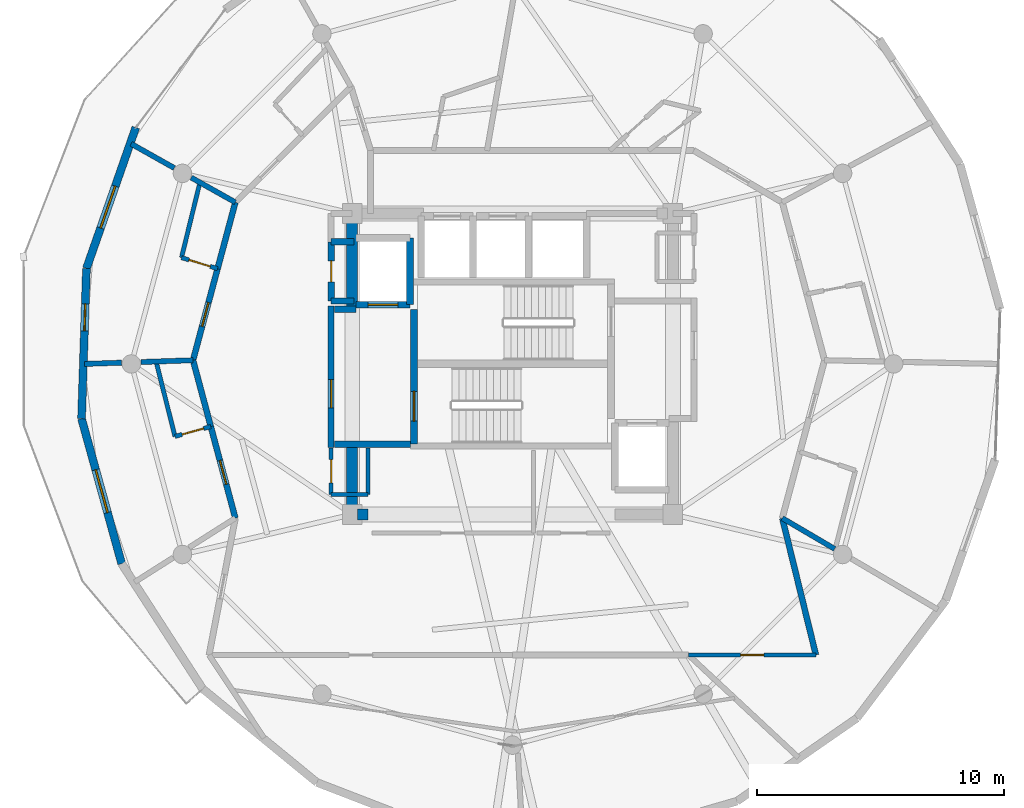
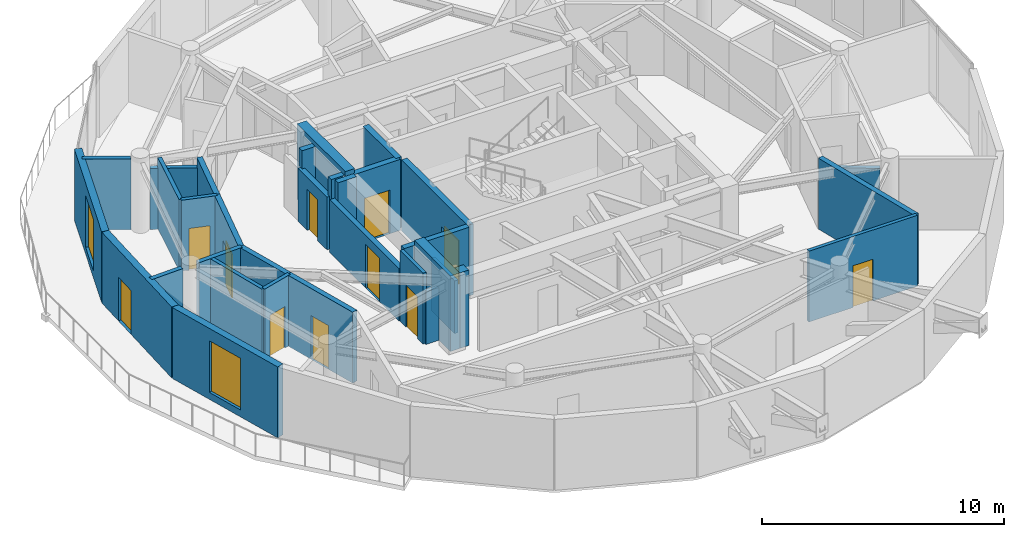
# One storey, part 11 of 16: 33 walls, 11 doors, 2 windows, 13 openings.
"""IFC4 building model written with IfcOpenShell, lengths in metres."""

from ifc_helpers import new_model, si_unit, direction, frame, frame_2d, origin, place, context, subcontext, project, spatial, rectangle, extrude, material, layer, layer_set, type_object, element, fill, save


model = new_model("IFC4")

# Units and contexts
model_context = context("Model", 3, precision=1e-05, world=origin(), true_north=direction((0.0, 1.0)))
body_context = subcontext(model_context, "Body", "Model", "MODEL_VIEW")
ifc_project = project(units=[si_unit("LENGTHUNIT", "METRE"), si_unit("AREAUNIT", "SQUARE_METRE"), si_unit("VOLUMEUNIT", "CUBIC_METRE"), si_unit("PLANEANGLEUNIT", "RADIAN"), si_unit("MASSUNIT", "GRAM", prefix="KILO")], contexts=[model_context])

# Site, building, storey
site_placement = place(None, origin())
site = spatial("IfcSite", under=ifc_project, at=site_placement, CompositionType="ELEMENT")
building_placement = place(site_placement, origin())
building = spatial("IfcBuilding", under=site, at=building_placement, Name="Solvirekh Grand Hotel", CompositionType="ELEMENT")
storey_placement = place(building_placement, frame((0.0, 0.0, 258.199951171875)))
storey = spatial("IfcBuildingStorey", under=building, at=storey_placement, Name="L67", CompositionType="ELEMENT", Elevation=258.199951171875)

# Wall, opening, door
ifc_material_1 = material(Name="Concrete C40/50", Category="concrete")
ifc_layer_1 = layer(ifc_material_1, 0.280029296875)
ifc_layer_set_1 = layer_set([ifc_layer_1], Name="Concrete C40/50")
wall_type_1 = type_object("IfcWallType", Name="CoreShaftWall_RC280", PredefinedType="SOLIDWALL", material=ifc_layer_set_1)
wall_1_placement = place(storey_placement, frame((-6.35009765625, 2.39990234375, 0.0), z_axis=(0.0, 0.0, 1.0), x_axis=(1.0, 0.0, 0.0)))
wall_1 = element("IfcWall", 1, at=wall_1_placement, inside=storey, type_object=wall_type_1, Name="L67 FL-1 hoistway S wall", PredefinedType="SOLIDWALL", context=body_context, shape_type="SweptSolid", body=[
    extrude(rectangle(XDim=2.2001953125, YDim=0.280029296875, at=frame_2d((1.10009765625, 0.0))), origin(), (0.0, 0.0, 1.0), 3.570068359375),
])
opening_1_placement = place(wall_1_placement, frame((0.5, 0.0, 0.0)))
opening_1 = element("IfcOpeningElement", 2, at=opening_1_placement, cuts=wall_1, Name="Opening LD02", PredefinedType="OPENING", context=body_context, shape_type="SweptSolid", body=[
    extrude(rectangle(XDim=1.199951171875, YDim=2.199951171875, at=frame_2d((0.60009765625, 1.10009765625))), frame((0.0, 0.14990234375, 0.0), z_axis=(0.0, -1.0, 0.0), x_axis=(1.0, 0.0, 0.0)), (0.0, 0.0, 1.0), 0.300048828125),
])
ifc_material_2 = material(Name="Fire-Rated Steel Door Assembly", Category="steel")
door_type_1 = type_object("IfcDoorType", Name="Door_LiftFF_1200X2200", OperationType="SLIDING_TO_LEFT", PredefinedType="DOOR", material=ifc_material_2)
door_1_placement = place(opening_1_placement, origin())
door_1 = element("IfcDoor", 3, at=door_1_placement, inside=storey, type_object=door_type_1, Name="L67 FL-1 sliding lift landing door", OperationType="SLIDING_TO_LEFT", OverallHeight=2.199951171875, OverallWidth=1.199951171875, PredefinedType="DOOR", context=body_context, shape_type="SweptSolid", body=[
    extrude(rectangle(XDim=1.199951171875, YDim=2.199951171875, at=frame_2d((0.60009765625, 1.10009765625))), frame((0.0, 0.02490234375, 0.0), z_axis=(0.0, -1.0, 0.0), x_axis=(1.0, 0.0, 0.0)), (0.0, 0.0, 1.0), 0.050048828125),
])
fill(opening_1, door_1)

# Wall
wall_2_placement = place(storey_placement, frame((-4.14990234375, 2.39990234375, 0.0), z_axis=(0.0, 0.0, 1.0), x_axis=(0.0, 1.0, 0.0)))
element("IfcWall", 4, at=wall_2_placement, inside=storey, type_object=wall_type_1, Name="L67 FL-1 hoistway E wall", PredefinedType="SOLIDWALL", context=body_context, shape_type="SweptSolid", body=[
    extrude(rectangle(XDim=2.7001953125, YDim=0.280029296875, at=frame_2d((1.35009765625, 0.0))), origin(), (0.0, 0.0, 1.0), 3.570068359375),
])

# Wall, opening, door
wall_3_placement = place(storey_placement, frame((-3.989990234375, -3.25, 0.0), z_axis=(0.0, 0.0, 1.0), x_axis=(0.0, 1.0, 0.0)))
wall_3 = element("IfcWall", 5, at=wall_3_placement, inside=storey, type_object=wall_type_1, Name="L67 west stair landing enclosure wall", PredefinedType="SOLIDWALL", context=body_context, shape_type="SweptSolid", body=[
    extrude(rectangle(XDim=5.4599609375, YDim=0.280029296875, at=frame_2d((2.72998046875, 0.0))), origin(), (0.0, 0.0, 1.0), 3.570068359375),
])
opening_2_placement = place(wall_3_placement, frame((0.93701171875, 0.0, 0.0)))
opening_2 = element("IfcOpeningElement", 6, at=opening_2_placement, cuts=wall_3, Name="Opening D05", PredefinedType="OPENING", context=body_context, shape_type="SweptSolid", body=[
    extrude(rectangle(XDim=1.199951171875, YDim=2.199951171875, at=frame_2d((0.60009765625, 1.10009765625))), frame((0.0, 0.14990234375, 0.0), z_axis=(0.0, -1.0, 0.0), x_axis=(1.0, 0.0, 0.0)), (0.0, 0.0, 1.0), 0.300048828125),
])
door_type_2 = type_object("IfcDoorType", Name="Door_StairCore_1200X2200", OperationType="NOTDEFINED", PredefinedType="DOOR", material=ifc_material_2)
door_2_placement = place(opening_2_placement, origin())
door_2 = element("IfcDoor", 7, at=door_2_placement, inside=storey, type_object=door_type_2, Name="L67 exit stair ST-1 fire door", OperationType="SINGLE_SWING_RIGHT", OverallHeight=2.199951171875, OverallWidth=1.199951171875, PredefinedType="DOOR", context=body_context, shape_type="SweptSolid", body=[
    extrude(rectangle(XDim=1.199951171875, YDim=2.199951171875, at=frame_2d((0.60009765625, 1.10009765625))), frame((0.0, 0.02490234375, 0.0), z_axis=(0.0, -1.0, 0.0), x_axis=(1.0, 0.0, 0.0)), (0.0, 0.0, 1.0), 0.050048828125),
])
fill(opening_2, door_2)

# Walls
ifc_material_3 = material(Name="Concrete C50/60", Category="concrete")
ifc_layer_2 = layer(ifc_material_3, 0.449951171875)
ifc_layer_set_2 = layer_set([ifc_layer_2], Name="Concrete C50/60")
wall_type_2 = type_object("IfcWallType", Name="CoreWall_RC450", PredefinedType="SHEAR", material=ifc_layer_set_2)
wall_4_placement = place(storey_placement, frame((-6.27490234375, -6.10009765625, 0.0), z_axis=(0.0, 0.0, 1.0), x_axis=(1.0, 0.0, 0.0)))
element("IfcWall", 8, at=wall_4_placement, inside=storey, type_object=wall_type_2, Name="L67 core corner shear wall SW-S", PredefinedType="SHEAR", context=body_context, shape_type="SweptSolid", body=[
    extrude(rectangle(XDim=0.4248046875, YDim=0.449951171875, at=frame_2d((0.21240234375, 0.0))), origin(), (0.0, 0.0, 1.0), 3.800048828125),
])
wall_5_placement = place(storey_placement, frame((-6.5, 2.35009765625, 0.0), z_axis=(0.0, 0.0, 1.0), x_axis=(0.0, 1.0, 0.0)))
element("IfcWall", 9, at=wall_5_placement, inside=storey, type_object=wall_type_2, Name="L67 core corner shear wall WN-W", PredefinedType="SHEAR", context=body_context, shape_type="SweptSolid", body=[
    extrude(rectangle(XDim=3.974853515625, YDim=0.449951171875, at=frame_2d((1.9873046875, 0.0))), origin(), (0.0, 0.0, 1.0), 3.800048828125),
])
wall_6_placement = place(storey_placement, frame((-6.5, -6.324951171875, 0.0), z_axis=(0.0, 0.0, 1.0), x_axis=(0.0, 1.0, 0.0)))
element("IfcWall", 10, at=wall_6_placement, inside=storey, type_object=wall_type_2, Name="L67 core corner shear wall WS-W", PredefinedType="SHEAR", context=body_context, shape_type="SweptSolid", body=[
    extrude(rectangle(XDim=2.974853515625, YDim=0.449951171875, at=frame_2d((1.4873046875, 0.0))), origin(), (0.0, 0.0, 1.0), 3.800048828125),
])

# Wall, opening, window
ifc_material_4 = material(Name="Precast concrete C45/55", Category="concrete")
ifc_layer_3 = layer(ifc_material_4, 0.320068359375)
ifc_layer_set_3 = layer_set([ifc_layer_3], Name="Precast concrete C45/55")
wall_type_3 = type_object("IfcWallType", Name="ExtLobbyWall_RC320", PredefinedType="SOLIDWALL", material=ifc_layer_set_3)
wall_7_placement = place(storey_placement, frame((-17.27001953125, 3.8720703125, 0.0), z_axis=(0.0, 0.0, 1.0), x_axis=(0.3305660024, 0.943782876544, 0.0)))
wall_7 = element("IfcWall", 11, at=wall_7_placement, inside=storey, type_object=wall_type_3, Name="L67 exterior structural wall chord 14", PredefinedType="SOLIDWALL", context=body_context, shape_type="SweptSolid", body=[
    extrude(rectangle(XDim=6.05322265625, YDim=0.320068359375, at=frame_2d((3.026611328125, 0.0))), origin(), (0.0, 0.0, 1.0), 3.570068359375),
])
opening_3_placement = place(wall_7_placement, frame((1.73388671875, 0.0, 0.35009765625)))
opening_3 = element("IfcOpeningElement", 12, at=opening_3_placement, cuts=wall_7, Name="Opening W02", PredefinedType="OPENING", context=body_context, shape_type="SweptSolid", body=[
    extrude(rectangle(XDim=1.800048828125, YDim=2.60009765625, at=frame_2d((0.89990234375, 1.300048828125))), frame((0.0, 0.169921875, 0.0), z_axis=(0.0, -1.0, 0.0), x_axis=(1.0, 0.0, 0.0)), (0.0, 0.0, 1.0), 0.340087890625),
])
ifc_material_5 = material(Name="Low-E Tinted Bronze Laminated Glass", Category="aluminium")
window_type = type_object("IfcWindowType", Name="Win_LobbyExt_1800X2600", PartitioningType="SINGLE_PANEL", PredefinedType="WINDOW", material=ifc_material_5)
window_1_placement = place(opening_3_placement, origin())
window_1 = element("IfcWindow", 13, at=window_1_placement, inside=storey, type_object=window_type, Name="L67 panoramic bronze-framed window 14", OverallHeight=2.60009765625, OverallWidth=1.800048828125, PartitioningType="SINGLE_PANEL", PredefinedType="WINDOW", context=body_context, shape_type="SweptSolid", body=[
    extrude(rectangle(XDim=1.800048828125, YDim=2.60009765625, at=frame_2d((0.89990234375, 1.300048828125))), frame((0.0, 0.030029296875, 0.0), z_axis=(0.0, -1.0, 0.0), x_axis=(1.0, 0.0, 0.0)), (0.0, 0.0, 1.0), 0.06005859375),
])
fill(opening_3, window_1)

# Wall, opening, door
wall_8_placement = place(storey_placement, frame((-17.468017578125, -2.219970703125, 0.0), z_axis=(0.0, 0.0, 1.0), x_axis=(0.032483949851, 0.999472257245, 0.0)))
wall_8 = element("IfcWall", 14, at=wall_8_placement, inside=storey, type_object=wall_type_3, Name="L67 exterior structural wall chord 15", PredefinedType="SOLIDWALL", context=body_context, shape_type="SweptSolid", body=[
    extrude(rectangle(XDim=6.09521484375, YDim=0.320068359375, at=frame_2d((3.047607421875, 0.0))), origin(), (0.0, 0.0, 1.0), 3.570068359375),
])
opening_4_placement = place(wall_8_placement, frame((3.55908203125, 0.0, 0.0)))
opening_4 = element("IfcOpeningElement", 15, at=opening_4_placement, cuts=wall_8, Name="Opening D03", PredefinedType="OPENING", context=body_context, shape_type="SweptSolid", body=[
    extrude(rectangle(XDim=1.10009765625, YDim=2.199951171875, at=frame_2d((0.550048828125, 1.10009765625))), frame((0.0, 0.169921875, 0.0), z_axis=(0.0, -1.0, 0.0), x_axis=(1.0, 0.0, 0.0)), (0.0, 0.0, 1.0), 0.340087890625),
])
ifc_material_6 = material(Name="Anodized Bronze Aluminium 6063-T6", Category="aluminium")
door_type_3 = type_object("IfcDoorType", Name="Door_ExtBalcony_1100X2200", OperationType="NOTDEFINED", PredefinedType="DOOR", material=ifc_material_6)
door_3_placement = place(opening_4_placement, origin())
door_3 = element("IfcDoor", 16, at=door_3_placement, inside=storey, type_object=door_type_3, Name="L67 Crescent balcony glazed door (15)", OperationType="SINGLE_SWING_RIGHT", OverallHeight=2.199951171875, OverallWidth=1.10009765625, PredefinedType="DOOR", context=body_context, shape_type="SweptSolid", body=[
    extrude(rectangle(XDim=1.10009765625, YDim=2.199951171875, at=frame_2d((0.550048828125, 1.10009765625))), frame((0.0, 0.02490234375, 0.0), z_axis=(0.0, -1.0, 0.0), x_axis=(1.0, 0.0, 0.0)), (0.0, 0.0, 1.0), 0.050048828125),
])
fill(opening_4, door_3)

# Wall, opening, window
wall_9_placement = place(storey_placement, frame((-15.843017578125, -8.094970703125, 0.0), z_axis=(0.0, 0.0, 1.0), x_axis=(-0.266586054538, 0.963811120254, 0.0)))
wall_9 = element("IfcWall", 17, at=wall_9_placement, inside=storey, type_object=wall_type_3, Name="L67 exterior structural wall chord 16", PredefinedType="SOLIDWALL", context=body_context, shape_type="SweptSolid", body=[
    extrude(rectangle(XDim=6.095703125, YDim=0.320068359375, at=frame_2d((3.0478515625, 0.0))), origin(), (0.0, 0.0, 1.0), 3.570068359375),
])
opening_5_placement = place(wall_9_placement, frame((2.14794921875, 0.0, 0.35009765625)))
opening_5 = element("IfcOpeningElement", 18, at=opening_5_placement, cuts=wall_9, Name="Opening W02", PredefinedType="OPENING", context=body_context, shape_type="SweptSolid", body=[
    extrude(rectangle(XDim=1.800048828125, YDim=2.60009765625, at=frame_2d((0.89990234375, 1.300048828125))), frame((0.0, 0.169921875, 0.0), z_axis=(0.0, -1.0, 0.0), x_axis=(1.0, 0.0, 0.0)), (0.0, 0.0, 1.0), 0.340087890625),
])
window_2_placement = place(opening_5_placement, origin())
window_2 = element("IfcWindow", 19, at=window_2_placement, inside=storey, type_object=window_type, Name="L67 panoramic bronze-framed window 16", OverallHeight=2.60009765625, OverallWidth=1.800048828125, PartitioningType="SINGLE_PANEL", PredefinedType="WINDOW", context=body_context, shape_type="SweptSolid", body=[
    extrude(rectangle(XDim=1.800048828125, YDim=2.60009765625, at=frame_2d((0.89990234375, 1.300048828125))), frame((0.0, 0.030029296875, 0.0), z_axis=(0.0, -1.0, 0.0), x_axis=(1.0, 0.0, 0.0)), (0.0, 0.0, 1.0), 0.06005859375),
])
fill(opening_5, window_2)

# Walls
ifc_material_7 = material(Name="Acoustic Gypsum Partition Assembly")
ifc_layer_4 = layer(ifc_material_7, 0.1650390625)
ifc_layer_set_4 = layer_set([ifc_layer_4], Name="Acoustic Gypsum Partition Assembly")
wall_type_4 = type_object("IfcWallType", Name="Part_BOH_165", PredefinedType="PARTITIONING", material=ifc_layer_set_4)
wall_10_placement = place(storey_placement, frame((-7.35009765625, -5.300048828125, 0.0), z_axis=(0.0, 0.0, 1.0), x_axis=(1.0, 0.0, 0.0)))
element("IfcWall", 20, at=wall_10_placement, inside=storey, type_object=wall_type_4, Name="L67 L67 Butler Service Closet wall 1", PredefinedType="PARTITIONING", context=body_context, shape_type="SweptSolid", body=[
    extrude(rectangle(XDim=1.5, YDim=0.1650390625, at=frame_2d((0.75, 0.0))), origin(), (0.0, 0.0, 1.0), 2.655029296875),
])
wall_11_placement = place(storey_placement, frame((-5.85009765625, -5.300048828125, 0.0), z_axis=(0.0, 0.0, 1.0), x_axis=(0.0, 1.0, 0.0)))
element("IfcWall", 21, at=wall_11_placement, inside=storey, type_object=wall_type_4, Name="L67 L67 Butler Service Closet wall 2", PredefinedType="PARTITIONING", context=body_context, shape_type="SweptSolid", body=[
    extrude(rectangle(XDim=1.900146484375, YDim=0.1650390625, at=frame_2d((0.9501953125, 0.0))), origin(), (0.0, 0.0, 1.0), 2.655029296875),
])

# Wall, opening, door
wall_12_placement = place(storey_placement, frame((-7.35009765625, -3.39990234375, 0.0), z_axis=(0.0, 0.0, 1.0), x_axis=(0.0, -1.0, 0.0)))
wall_12 = element("IfcWall", 22, at=wall_12_placement, inside=storey, type_object=wall_type_4, Name="L67 L67 Butler Service Closet wall 4", PredefinedType="PARTITIONING", context=body_context, shape_type="SweptSolid", body=[
    extrude(rectangle(XDim=1.900146484375, YDim=0.1650390625, at=frame_2d((0.9501953125, 0.0))), origin(), (0.0, 0.0, 1.0), 3.570068359375),
])
opening_6_placement = place(wall_12_placement, frame((0.47509765625, 0.0, 0.0)))
opening_6 = element("IfcOpeningElement", 23, at=opening_6_placement, cuts=wall_12, Name="Opening D10", PredefinedType="OPENING", context=body_context, shape_type="SweptSolid", body=[
    extrude(rectangle(XDim=0.949951171875, YDim=2.10009765625, at=frame_2d((0.47509765625, 1.050048828125))), frame((0.0, 0.092529296875, 0.0), z_axis=(0.0, -1.0, 0.0), x_axis=(1.0, 0.0, 0.0)), (0.0, 0.0, 1.0), 0.18505859375),
])
door_type_4 = type_object("IfcDoorType", Name="Door_RoomInt_950X2100", OperationType="NOTDEFINED", PredefinedType="DOOR", material=ifc_material_6)
door_4_placement = place(opening_6_placement, origin())
door_4 = element("IfcDoor", 24, at=door_4_placement, inside=storey, type_object=door_type_4, Name="L67 L67 Butler Service Closet door", OperationType="SINGLE_SWING_LEFT", OverallHeight=2.10009765625, OverallWidth=0.949951171875, PredefinedType="DOOR", context=body_context, shape_type="SweptSolid", body=[
    extrude(rectangle(XDim=0.949951171875, YDim=2.10009765625, at=frame_2d((0.47509765625, 1.050048828125))), frame((0.0, 0.02490234375, 0.0), z_axis=(0.0, -1.0, 0.0), x_axis=(1.0, 0.0, 0.0)), (0.0, 0.0, 1.0), 0.050048828125),
])
fill(opening_6, door_4)

wall_13_placement = place(storey_placement, frame((7.134033203125, -11.800048828125, 0.0), z_axis=(0.0, 0.0, 1.0), x_axis=(1.0, 0.0, 0.0)))
wall_13 = element("IfcWall", 25, at=wall_13_placement, inside=storey, type_object=wall_type_4, Name="L67 L67 Butler Valet & Linen Steward Room entrance wall", PredefinedType="PARTITIONING", context=body_context, shape_type="SweptSolid", body=[
    extrude(rectangle(XDim=5.166015625, YDim=0.1650390625, at=frame_2d((2.5830078125, 0.0))), origin(), (0.0, 0.0, 1.0), 3.570068359375),
])
opening_7_placement = place(wall_13_placement, frame((2.10791015625, 0.0, 0.0)))
opening_7 = element("IfcOpeningElement", 26, at=opening_7_placement, cuts=wall_13, Name="Opening D10", PredefinedType="OPENING", context=body_context, shape_type="SweptSolid", body=[
    extrude(rectangle(XDim=0.949951171875, YDim=2.10009765625, at=frame_2d((0.47509765625, 1.050048828125))), frame((0.0, 0.092529296875, 0.0), z_axis=(0.0, -1.0, 0.0), x_axis=(1.0, 0.0, 0.0)), (0.0, 0.0, 1.0), 0.18505859375),
])
door_5_placement = place(opening_7_placement, origin())
door_5 = element("IfcDoor", 27, at=door_5_placement, inside=storey, type_object=door_type_4, Name="L67 L67 Butler Valet & Linen Steward Room entrance door", OperationType="SINGLE_SWING_RIGHT", OverallHeight=2.10009765625, OverallWidth=0.949951171875, PredefinedType="DOOR", context=body_context, shape_type="SweptSolid", body=[
    extrude(rectangle(XDim=0.949951171875, YDim=2.10009765625, at=frame_2d((0.47509765625, 1.050048828125))), frame((0.0, 0.02490234375, 0.0), z_axis=(0.0, -1.0, 0.0), x_axis=(1.0, 0.0, 0.0)), (0.0, 0.0, 1.0), 0.050048828125),
])
fill(opening_7, door_5)

ifc_layer_5 = layer(ifc_material_7, 0.239990234375)
ifc_layer_set_5 = layer_set([ifc_layer_5], Name="Acoustic Gypsum Partition Assembly")
wall_type_5 = type_object("IfcWallType", Name="Part_Corridor_240", PredefinedType="PARTITIONING", material=ifc_layer_set_5)
wall_14_placement = place(storey_placement, frame((-7.35009765625, -3.3798828125, 0.0), z_axis=(0.0, 0.0, 1.0), x_axis=(0.0, 1.0, 0.0)))
wall_14 = element("IfcWall", 28, at=wall_14_placement, inside=storey, type_object=wall_type_5, Name="L67 west firefighting lobby smoke screen wall", PredefinedType="PARTITIONING", context=body_context, shape_type="SweptSolid", body=[
    extrude(rectangle(XDim=5.719970703125, YDim=0.239990234375, at=frame_2d((2.85986328125, 0.0))), origin(), (0.0, 0.0, 1.0), 2.655029296875),
])
opening_8_placement = place(wall_14_placement, frame((1.59912109375, 0.0, 0.0)))
opening_8 = element("IfcOpeningElement", 29, at=opening_8_placement, cuts=wall_14, Name="Opening D06", PredefinedType="OPENING", context=body_context, shape_type="SweptSolid", body=[
    extrude(rectangle(XDim=1.14990234375, YDim=2.199951171875, at=frame_2d((0.574951171875, 1.10009765625))), frame((0.0, 0.1298828125, 0.0), z_axis=(0.0, -1.0, 0.0), x_axis=(1.0, 0.0, 0.0)), (0.0, 0.0, 1.0), 0.260009765625),
])
door_type_5 = type_object("IfcDoorType", Name="Door_FFLobby_1150X2200", OperationType="NOTDEFINED", PredefinedType="DOOR", material=ifc_material_2)
door_6_placement = place(opening_8_placement, origin())
door_6 = element("IfcDoor", 30, at=door_6_placement, inside=storey, type_object=door_type_5, Name="L67 west firefighting lobby smoke door", OperationType="SINGLE_SWING_RIGHT", OverallHeight=2.199951171875, OverallWidth=1.14990234375, PredefinedType="DOOR", context=body_context, shape_type="SweptSolid", body=[
    extrude(rectangle(XDim=1.14990234375, YDim=2.199951171875, at=frame_2d((0.574951171875, 1.10009765625))), frame((0.0, 0.02490234375, 0.0), z_axis=(0.0, -1.0, 0.0), x_axis=(1.0, 0.0, 0.0)), (0.0, 0.0, 1.0), 0.050048828125),
])
fill(opening_8, door_6)

# Wall
wall_15_placement = place(storey_placement, frame((-11.235107421875, 6.550048828125, 0.0), z_axis=(0.0, 0.0, 1.0), x_axis=(-0.258727314432, -0.96595040078, 0.0)))
element("IfcWall", 31, at=wall_15_placement, inside=storey, type_object=wall_type_5, Name="L67 En-suite Bathroom 6904 corridor backing wall", PredefinedType="PARTITIONING", context=body_context, shape_type="SweptSolid", body=[
    extrude(rectangle(XDim=2.78271484375, YDim=0.239990234375, at=frame_2d((1.391357421875, 0.0))), origin(), (0.0, 0.0, 1.0), 3.570068359375),
])

# Wall, opening, door
wall_16_placement = place(storey_placement, frame((-11.955078125, 3.862060546875, 0.0), z_axis=(0.0, 0.0, 1.0), x_axis=(-0.258868389222, -0.965912603221, 0.0)))
wall_16 = element("IfcWall", 32, at=wall_16_placement, inside=storey, type_object=wall_type_5, Name="L67 Deluxe Guestroom 6904 entrance wall", PredefinedType="PARTITIONING", context=body_context, shape_type="SweptSolid", body=[
    extrude(rectangle(XDim=3.84326171875, YDim=0.239990234375, at=frame_2d((1.921630859375, 0.0))), origin(), (0.0, 0.0, 1.0), 3.570068359375),
])
opening_9_placement = place(wall_16_placement, frame((1.422119140625, 0.0, 0.0)))
opening_9 = element("IfcOpeningElement", 33, at=opening_9_placement, cuts=wall_16, Name="Opening D07", PredefinedType="OPENING", context=body_context, shape_type="SweptSolid", body=[
    extrude(rectangle(XDim=1.0, YDim=2.199951171875, at=frame_2d((0.5, 1.10009765625))), frame((0.0, 0.1298828125, 0.0), z_axis=(0.0, -1.0, 0.0), x_axis=(1.0, 0.0, 0.0)), (0.0, 0.0, 1.0), 0.260009765625),
])
door_type_6 = type_object("IfcDoorType", Name="Door_GuestEntry_1000X2200", OperationType="NOTDEFINED", PredefinedType="DOOR", material=ifc_material_2)
door_7_placement = place(opening_9_placement, origin())
door_7 = element("IfcDoor", 34, at=door_7_placement, inside=storey, type_object=door_type_6, Name="L67 Deluxe Guestroom 6904 entrance door", OperationType="SINGLE_SWING_LEFT", OverallHeight=2.199951171875, OverallWidth=1.0, PredefinedType="DOOR", context=body_context, shape_type="SweptSolid", body=[
    extrude(rectangle(XDim=1.0, YDim=2.199951171875, at=frame_2d((0.5, 1.10009765625))), frame((0.0, 0.02490234375, 0.0), z_axis=(0.0, -1.0, 0.0), x_axis=(1.0, 0.0, 0.0)), (0.0, 0.0, 1.0), 0.050048828125),
])
fill(opening_9, door_7)

# Wall
wall_17_placement = place(storey_placement, frame((-12.949951171875, 0.14990234375, 0.0), z_axis=(0.0, 0.0, 1.0), x_axis=(0.258727314432, -0.96595040078, 0.0)))
element("IfcWall", 35, at=wall_17_placement, inside=storey, type_object=wall_type_5, Name="L67 En-suite Bathroom 6905 corridor backing wall", PredefinedType="PARTITIONING", context=body_context, shape_type="SweptSolid", body=[
    extrude(rectangle(XDim=2.78271484375, YDim=0.239990234375, at=frame_2d((1.391357421875, 0.0))), origin(), (0.0, 0.0, 1.0), 3.570068359375),
])

# Wall, opening, door
wall_18_placement = place(storey_placement, frame((-12.22998046875, -2.5380859375, 0.0), z_axis=(0.0, 0.0, 1.0), x_axis=(0.258884274469, -0.965908345772, 0.0)))
wall_18 = element("IfcWall", 36, at=wall_18_placement, inside=storey, type_object=wall_type_5, Name="L67 Deluxe Guestroom 6905 entrance wall", PredefinedType="PARTITIONING", context=body_context, shape_type="SweptSolid", body=[
    extrude(rectangle(XDim=3.843017578125, YDim=0.239990234375, at=frame_2d((1.92138671875, 0.0))), origin(), (0.0, 0.0, 1.0), 3.570068359375),
])
opening_10_placement = place(wall_18_placement, frame((1.422119140625, 0.0, 0.0)))
opening_10 = element("IfcOpeningElement", 37, at=opening_10_placement, cuts=wall_18, Name="Opening D07", PredefinedType="OPENING", context=body_context, shape_type="SweptSolid", body=[
    extrude(rectangle(XDim=1.0, YDim=2.199951171875, at=frame_2d((0.5, 1.10009765625))), frame((0.0, 0.1298828125, 0.0), z_axis=(0.0, -1.0, 0.0), x_axis=(1.0, 0.0, 0.0)), (0.0, 0.0, 1.0), 0.260009765625),
])
door_8_placement = place(opening_10_placement, origin())
door_8 = element("IfcDoor", 38, at=door_8_placement, inside=storey, type_object=door_type_6, Name="L67 Deluxe Guestroom 6905 entrance door", OperationType="SINGLE_SWING_LEFT", OverallHeight=2.199951171875, OverallWidth=1.0, PredefinedType="DOOR", context=body_context, shape_type="SweptSolid", body=[
    extrude(rectangle(XDim=1.0, YDim=2.199951171875, at=frame_2d((0.5, 1.10009765625))), frame((0.0, 0.02490234375, 0.0), z_axis=(0.0, -1.0, 0.0), x_axis=(1.0, 0.0, 0.0)), (0.0, 0.0, 1.0), 0.050048828125),
])
fill(opening_10, door_8)

# Walls
wall_19_placement = place(storey_placement, frame((12.300048828125, -11.800048828125, 0.0), z_axis=(0.0, 0.0, 1.0), x_axis=(-0.238825099749, 0.971062599285, 0.0)))
element("IfcWall", 39, at=wall_19_placement, inside=storey, type_object=wall_type_5, Name="L67 L67 Butler Valet & Linen Steward Room corridor wall 1", PredefinedType="PARTITIONING", context=body_context, shape_type="SweptSolid", body=[
    extrude(rectangle(XDim=5.71533203125, YDim=0.239990234375, at=frame_2d((2.857666015625, 0.0))), origin(), (0.0, 0.0, 1.0), 3.570068359375),
])
ifc_layer_6 = layer(ifc_material_7, 0.260009765625)
ifc_layer_set_6 = layer_set([ifc_layer_6], Name="Acoustic Gypsum Partition Assembly")
wall_type_6 = type_object("IfcWallType", Name="Part_LobbyFF_260", PredefinedType="PARTITIONING", material=ifc_layer_set_6)
wall_20_placement = place(storey_placement, frame((-7.22509765625, -3.25, 0.0), z_axis=(0.0, 0.0, 1.0), x_axis=(1.0, 0.0, 0.0)))
element("IfcWall", 40, at=wall_20_placement, inside=storey, type_object=wall_type_6, Name="L67 west firefighting lobby south partition", PredefinedType="PARTITIONING", context=body_context, shape_type="SweptSolid", body=[
    extrude(rectangle(XDim=3.09521484375, YDim=0.260009765625, at=frame_2d((1.547607421875, 0.0))), origin(), (0.0, 0.0, 1.0), 3.570068359375),
])
wall_21_placement = place(storey_placement, frame((-7.22509765625, 2.2099609375, 0.0), z_axis=(0.0, 0.0, 1.0), x_axis=(1.0, 0.0, 0.0)))
element("IfcWall", 41, at=wall_21_placement, inside=storey, type_object=wall_type_6, Name="L67 west firefighting lobby NW cheek", PredefinedType="PARTITIONING", context=body_context, shape_type="SweptSolid", body=[
    extrude(rectangle(XDim=0.875, YDim=0.260009765625, at=frame_2d((0.4375, 0.0))), origin(), (0.0, 0.0, 1.0), 3.570068359375),
])
for number, where, z_axis, x_axis, name in (
    (42, (-7.35009765625, 4.949951171875, 0.0), (0.0, 0.0, 1.0), (1.0, 0.0, 0.0), "L67 NW telecom metering cupboard north wall"),
    (43, (-7.35009765625, 2.550048828125, 0.0), (0.0, 0.0, 1.0), (1.0, 0.0, 0.0), "L67 NW telecom metering cupboard south wall"),
):
    element("IfcWall", number, at=place(storey_placement, frame(where, z_axis=z_axis, x_axis=x_axis)), inside=storey, type_object=wall_type_6, Name=name, PredefinedType="PARTITIONING", context=body_context, shape_type="SweptSolid", body=[
        extrude(rectangle(XDim=0.93017578125, YDim=0.260009765625, at=frame_2d((0.465087890625, 0.0))), origin(), (0.0, 0.0, 1.0), 3.570068359375),
    ])

# Wall, opening, door
wall_22_placement = place(storey_placement, frame((-7.35009765625, 2.550048828125, 0.0), z_axis=(0.0, 0.0, 1.0), x_axis=(0.0, 1.0, 0.0)))
wall_22 = element("IfcWall", 44, at=wall_22_placement, inside=storey, type_object=wall_type_6, Name="L67 NW telecom metering cupboard access wall", PredefinedType="PARTITIONING", context=body_context, shape_type="SweptSolid", body=[
    extrude(rectangle(XDim=2.39990234375, YDim=0.260009765625, at=frame_2d((1.199951171875, 0.0))), origin(), (0.0, 0.0, 1.0), 2.655029296875),
])
opening_11_placement = place(wall_22_placement, frame((0.77490234375, 0.0, 0.0)))
opening_11 = element("IfcOpeningElement", 45, at=opening_11_placement, cuts=wall_22, Name="Opening D13", PredefinedType="OPENING", context=body_context, shape_type="SweptSolid", body=[
    extrude(rectangle(XDim=0.85009765625, YDim=2.050048828125, at=frame_2d((0.425048828125, 1.02490234375))), frame((0.0, 0.14013671875, 0.0), z_axis=(0.0, -1.0, 0.0), x_axis=(1.0, 0.0, 0.0)), (0.0, 0.0, 1.0), 0.280029296875),
])
door_type_7 = type_object("IfcDoorType", Name="Door_RiserShaft_850X2050", OperationType="NOTDEFINED", PredefinedType="DOOR", material=ifc_material_2)
door_9_placement = place(opening_11_placement, origin())
door_9 = element("IfcDoor", 46, at=door_9_placement, inside=storey, type_object=door_type_7, Name="L67 telecom metering cupboard access door", OperationType="SINGLE_SWING_RIGHT", OverallHeight=2.050048828125, OverallWidth=0.85009765625, PredefinedType="DOOR", context=body_context, shape_type="SweptSolid", body=[
    extrude(rectangle(XDim=0.85009765625, YDim=2.050048828125, at=frame_2d((0.425048828125, 1.02490234375))), frame((0.0, 0.02490234375, 0.0), z_axis=(0.0, -1.0, 0.0), x_axis=(1.0, 0.0, 0.0)), (0.0, 0.0, 1.0), 0.050048828125),
])
fill(opening_11, door_9)

# Walls
ifc_layer_7 = layer(ifc_material_7, 0.2099609375)
ifc_layer_set_7 = layer_set([ifc_layer_7], Name="Acoustic Gypsum Partition Assembly")
wall_type_7 = type_object("IfcWallType", Name="Part_SuiteDemise_210", PredefinedType="PARTITIONING", material=ifc_layer_set_7)
wall_23_placement = place(storey_placement, frame((-11.235107421875, 6.550048828125, 0.0), z_axis=(0.0, 0.0, 1.0), x_axis=(-0.871737625494, 0.489972970987, 0.0)))
element("IfcWall", 47, at=wall_23_placement, inside=storey, type_object=wall_type_7, Name="L67 suite radial wall 6 (A)", PredefinedType="PARTITIONING", context=body_context, shape_type="SweptSolid", body=[
    extrude(rectangle(XDim=2.05078125, YDim=0.2099609375, at=frame_2d((1.025390625, 0.0))), origin(), (0.0, 0.0, 1.0), 3.0849609375),
])
wall_24_placement = place(storey_placement, frame((-13.7099609375, 7.94189453125, 0.0), z_axis=(0.0, 0.0, 1.0), x_axis=(-0.87171848357, 0.490007025871, 0.0)))
element("IfcWall", 48, at=wall_24_placement, inside=storey, type_object=wall_type_7, Name="L67 suite radial wall 6 (B)", PredefinedType="PARTITIONING", context=body_context, shape_type="SweptSolid", body=[
    extrude(rectangle(XDim=2.00634765625, YDim=0.2099609375, at=frame_2d((1.003173828125, 0.0))), origin(), (0.0, 0.0, 1.0), 3.570068359375),
])
wall_25_placement = place(storey_placement, frame((-12.949951171875, 0.14990234375, 0.0), z_axis=(0.0, 0.0, 1.0), x_axis=(-0.999419634364, -0.034064562927, 0.0)))
element("IfcWall", 49, at=wall_25_placement, inside=storey, type_object=wall_type_7, Name="L67 suite radial wall 7 (A)", PredefinedType="PARTITIONING", context=body_context, shape_type="SweptSolid", body=[
    extrude(rectangle(XDim=2.1142578125, YDim=0.2099609375, at=frame_2d((1.05712890625, 0.0))), origin(), (0.0, 0.0, 1.0), 3.570068359375),
])
wall_26_placement = place(storey_placement, frame((-15.842041015625, 0.052001953125, 0.0), z_axis=(0.0, 0.0, 1.0), x_axis=(-0.999410584372, -0.034329052487, 0.0)))
element("IfcWall", 50, at=wall_26_placement, inside=storey, type_object=wall_type_7, Name="L67 suite radial wall 7 (B)", PredefinedType="PARTITIONING", context=body_context, shape_type="SweptSolid", body=[
    extrude(rectangle(XDim=1.514892578125, YDim=0.2099609375, at=frame_2d((0.75732421875, 0.0))), origin(), (0.0, 0.0, 1.0), 3.570068359375),
])
wall_27_placement = place(storey_placement, frame((10.93505859375, -6.25, 0.0), z_axis=(0.0, 0.0, 1.0), x_axis=(0.862250119525, -0.506482705903, 0.0)))
element("IfcWall", 51, at=wall_27_placement, inside=storey, type_object=wall_type_7, Name="L67 suite radial wall 12 (A)", PredefinedType="PARTITIONING", context=body_context, shape_type="SweptSolid", body=[
    extrude(rectangle(XDim=2.462158203125, YDim=0.2099609375, at=frame_2d((1.23095703125, 0.0))), origin(), (0.0, 0.0, 1.0), 3.0849609375),
])
ifc_layer_8 = layer(ifc_material_7, 0.175048828125)
ifc_layer_set_8 = layer_set([ifc_layer_8], Name="Acoustic Gypsum Partition Assembly")
wall_type_8 = type_object("IfcWallType", Name="Plumb_Ensuite_175", PredefinedType="PLUMBINGWALL", material=ifc_layer_set_8)
wall_28_placement = place(storey_placement, frame((-12.6708984375, 7.35693359375, 0.0), z_axis=(0.0, 0.0, 1.0), x_axis=(-0.237772855028, -0.97132078605, 0.0)))
element("IfcWall", 52, at=wall_28_placement, inside=storey, type_object=wall_type_8, Name="L67 En-suite Bathroom 6904 outer plumbing wall", PredefinedType="PLUMBINGWALL", context=body_context, shape_type="SweptSolid", body=[
    extrude(rectangle(XDim=3.137939453125, YDim=0.175048828125, at=frame_2d((1.56884765625, 0.0))), origin(), (0.0, 0.0, 1.0), 3.570068359375),
])

# Wall, opening, door
wall_29_placement = place(storey_placement, frame((-11.955078125, 3.862060546875, 0.0), z_axis=(0.0, 0.0, 1.0), x_axis=(-0.956292043568, 0.292413281859, 0.0)))
wall_29 = element("IfcWall", 53, at=wall_29_placement, inside=storey, type_object=wall_type_8, Name="L67 En-suite Bathroom 6904 entry plumbing wall", PredefinedType="PLUMBINGWALL", context=body_context, shape_type="SweptSolid", body=[
    extrude(rectangle(XDim=1.52880859375, YDim=0.175048828125, at=frame_2d((0.764404296875, 0.0))), origin(), (0.0, 0.0, 1.0), 3.570068359375),
])
opening_12_placement = place(wall_29_placement, frame((0.31396484375, 0.0, 0.0)))
opening_12 = element("IfcOpeningElement", 54, at=opening_12_placement, cuts=wall_29, Name="Opening D09", PredefinedType="OPENING", context=body_context, shape_type="SweptSolid", body=[
    extrude(rectangle(XDim=0.89990234375, YDim=2.10009765625, at=frame_2d((0.449951171875, 1.050048828125))), frame((0.0, 0.09765625, 0.0), z_axis=(0.0, -1.0, 0.0), x_axis=(1.0, 0.0, 0.0)), (0.0, 0.0, 1.0), 0.195068359375),
])
door_type_8 = type_object("IfcDoorType", Name="Door_Ensuite_900X2100", OperationType="NOTDEFINED", PredefinedType="DOOR", material=ifc_material_6)
door_10_placement = place(opening_12_placement, origin())
door_10 = element("IfcDoor", 55, at=door_10_placement, inside=storey, type_object=door_type_8, Name="L67 En-suite Bathroom 6904 door", OperationType="SINGLE_SWING_RIGHT", OverallHeight=2.10009765625, OverallWidth=0.89990234375, PredefinedType="DOOR", context=body_context, shape_type="SweptSolid", body=[
    extrude(rectangle(XDim=0.89990234375, YDim=2.10009765625, at=frame_2d((0.449951171875, 1.050048828125))), frame((0.0, 0.02490234375, 0.0), z_axis=(0.0, -1.0, 0.0), x_axis=(1.0, 0.0, 0.0)), (0.0, 0.0, 1.0), 0.050048828125),
])
fill(opening_12, door_10)

# Wall
wall_30_placement = place(storey_placement, frame((-14.447998046875, 0.09912109375, 0.0), z_axis=(0.0, 0.0, 1.0), x_axis=(0.244882234228, -0.969552830618, 0.0)))
element("IfcWall", 56, at=wall_30_placement, inside=storey, type_object=wall_type_8, Name="L67 En-suite Bathroom 6905 outer plumbing wall", PredefinedType="PLUMBINGWALL", context=body_context, shape_type="SweptSolid", body=[
    extrude(rectangle(XDim=3.132568359375, YDim=0.175048828125, at=frame_2d((1.56640625, 0.0))), origin(), (0.0, 0.0, 1.0), 3.570068359375),
])

# Wall, opening, door
wall_31_placement = place(storey_placement, frame((-12.22998046875, -2.5380859375, 0.0), z_axis=(0.0, 0.0, 1.0), x_axis=(-0.964052819731, -0.265710671162, 0.0)))
wall_31 = element("IfcWall", 57, at=wall_31_placement, inside=storey, type_object=wall_type_8, Name="L67 En-suite Bathroom 6905 entry plumbing wall", PredefinedType="PLUMBINGWALL", context=body_context, shape_type="SweptSolid", body=[
    extrude(rectangle(XDim=1.505126953125, YDim=0.175048828125, at=frame_2d((0.75244140625, 0.0))), origin(), (0.0, 0.0, 1.0), 3.570068359375),
])
opening_13_placement = place(wall_31_placement, frame((0.302978515625, 0.0, 0.0)))
opening_13 = element("IfcOpeningElement", 58, at=opening_13_placement, cuts=wall_31, Name="Opening D09", PredefinedType="OPENING", context=body_context, shape_type="SweptSolid", body=[
    extrude(rectangle(XDim=0.89990234375, YDim=2.10009765625, at=frame_2d((0.449951171875, 1.050048828125))), frame((0.0, 0.09765625, 0.0), z_axis=(0.0, -1.0, 0.0), x_axis=(1.0, 0.0, 0.0)), (0.0, 0.0, 1.0), 0.195068359375),
])
door_11_placement = place(opening_13_placement, origin())
door_11 = element("IfcDoor", 59, at=door_11_placement, inside=storey, type_object=door_type_8, Name="L67 En-suite Bathroom 6905 door", OperationType="SINGLE_SWING_RIGHT", OverallHeight=2.10009765625, OverallWidth=0.89990234375, PredefinedType="DOOR", context=body_context, shape_type="SweptSolid", body=[
    extrude(rectangle(XDim=0.89990234375, YDim=2.10009765625, at=frame_2d((0.449951171875, 1.050048828125))), frame((0.0, 0.02490234375, 0.0), z_axis=(0.0, -1.0, 0.0), x_axis=(1.0, 0.0, 0.0)), (0.0, 0.0, 1.0), 0.050048828125),
])
fill(opening_13, door_11)

save(model, "model.ifc")
